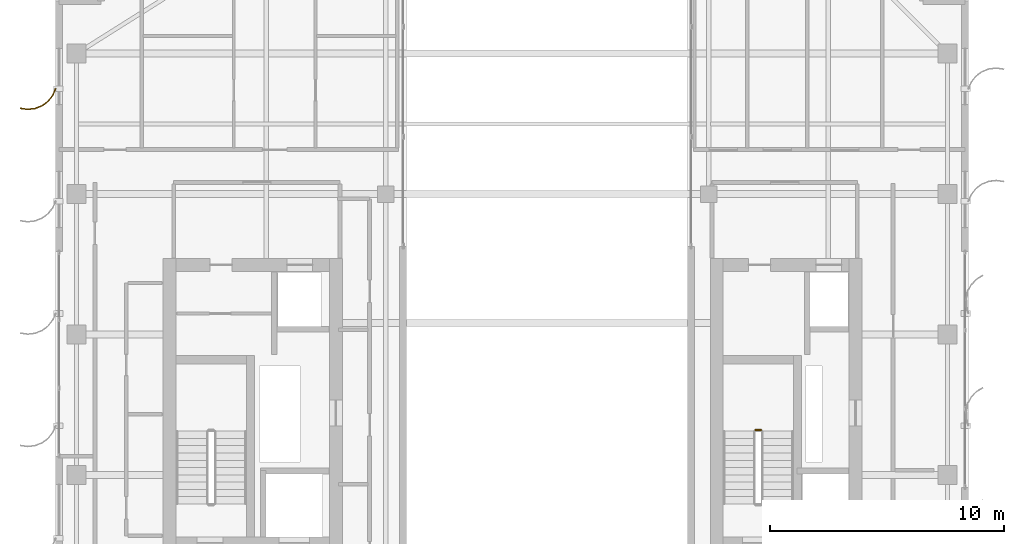
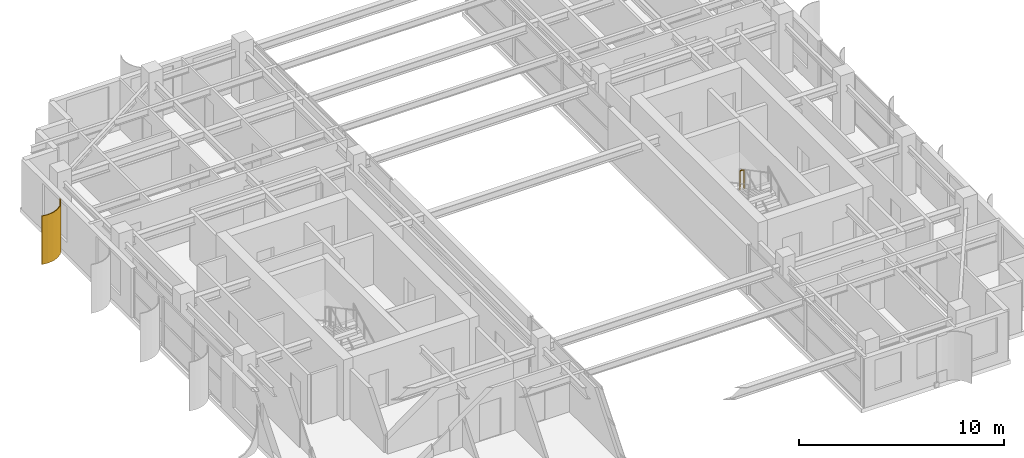
# One storey, part 24 of 25: 1 railing, 1 shading device.
"""IFC4 building model written with IfcOpenShell, lengths in metres."""

from ifc_helpers import new_model, si_unit, direction, frame, origin, origin_2d, place, context, subcontext, project, spatial, polyline, circle, outline, extrude, source, transform, mapped, material, layer, layer_set, type_object, element, save


model = new_model("IFC4")

# Units and contexts
model_context = context("Model", 3, precision=1e-05, world=origin(), true_north=direction((0.0, 1.0)))
body_context = subcontext(model_context, "Body", "Model", "MODEL_VIEW")
ifc_project = project(units=[si_unit("LENGTHUNIT", "METRE"), si_unit("AREAUNIT", "SQUARE_METRE"), si_unit("VOLUMEUNIT", "CUBIC_METRE"), si_unit("PLANEANGLEUNIT", "RADIAN"), si_unit("MASSUNIT", "GRAM", prefix="KILO")], contexts=[model_context])

# Site, building, storey
site_placement = place(None, origin())
site = spatial("IfcSite", under=ifc_project, at=site_placement, CompositionType="ELEMENT")
building_placement = place(site_placement, origin())
building = spatial("IfcBuilding", under=site, at=building_placement, Name="Khoralis Quay Care Tower", CompositionType="ELEMENT")
storey_placement = place(building_placement, frame((0.0, 0.0, 263.699951171875)))
storey = spatial("IfcBuildingStorey", under=building, at=storey_placement, Name="L69", CompositionType="ELEMENT", Elevation=263.699951171875)

# Railing
ifc_material_1 = material(Name="Brushed stainless steel", Category="steel")
railing_type = type_object("IfcRailingType", Name="RL-GUARD-1150", PredefinedType="GUARDRAIL", material=ifc_material_1)
railing_placement = place(storey_placement, frame((33.139892578125, 19.919921875, 1.800048828125)))
element("IfcRailing", 1, at=railing_placement, inside=storey, type_object=railing_type, Name="L69 ST-T2 stair guard 2", PredefinedType="GUARDRAIL", context=body_context, shape_type="SweptSolid", body=[
    extrude(circle(Radius=0.02392578125, at=origin_2d()), frame((0.0, 0.0, 1.1259765625), z_axis=(-1.0, 0.0, 0.0), x_axis=(0.0, -1.0, 0.0)), (0.0, 0.0, 1.0), 0.239990234375),
    extrude(circle(Radius=0.02099609375, at=origin_2d()), origin(), (0.0, 0.0, 1.0), 1.101806640625),
    extrude(circle(Radius=0.02099609375, at=origin_2d()), frame((-0.239990234375, 0.0, 0.0)), (0.0, 0.0, 1.0), 1.101806640625),
])

# Shading device
ifc_material_2 = material(Name="Brushed pale anodised aluminium", Category="aluminium")
ifc_layer = layer(ifc_material_2, 0.044921875)
ifc_layer_set = layer_set([ifc_layer], Name="Brushed pale anodised aluminium")
shading_device_type = type_object("IfcShadingDeviceType", Name="SHD-FIN-1250", PredefinedType="USERDEFINED", material=ifc_layer_set)
shared_shape = source(origin(), body_context, "Body", "SweptSolid", [
    extrude(outline(polyline([(0.0, 0.0), (0.130126953125, 0.29931640625), (0.333251953125, 0.5546875), (0.595458984375, 0.748779296875), (0.899169921875, 0.868408203125), (1.223388671875, 0.9052734375), (1.546142578125, 0.85693359375), (1.53369140625, 0.813720703125), (1.22265625, 0.8603515625), (0.91015625, 0.82470703125), (0.617431640625, 0.70947265625), (0.364501953125, 0.522216796875), (0.168701171875, 0.276123046875), (0.043212890625, -0.012451171875), (0.0, 0.0)])), origin(), (0.0, 0.0, 1.0), 2.89013671875),
])
shading_device_placement = place(storey_placement, frame((3.030029296875, 34.5, 0.02001953125), z_axis=(0.0, 0.0, 1.0), x_axis=(-1.0, 0.0, 0.0)))
element("IfcShadingDevice", 2, at=shading_device_placement, inside=storey, type_object=shading_device_type, Name="L69 Curved Solar Fin P1E7-01", ObjectType="FIN", PredefinedType="USERDEFINED", context=body_context, shape_type="MappedRepresentation", body=[
    mapped(shared_shape, transform((0.0, 0.0, 0.0), scale=1.0)),
])

save(model, "model.ifc")
